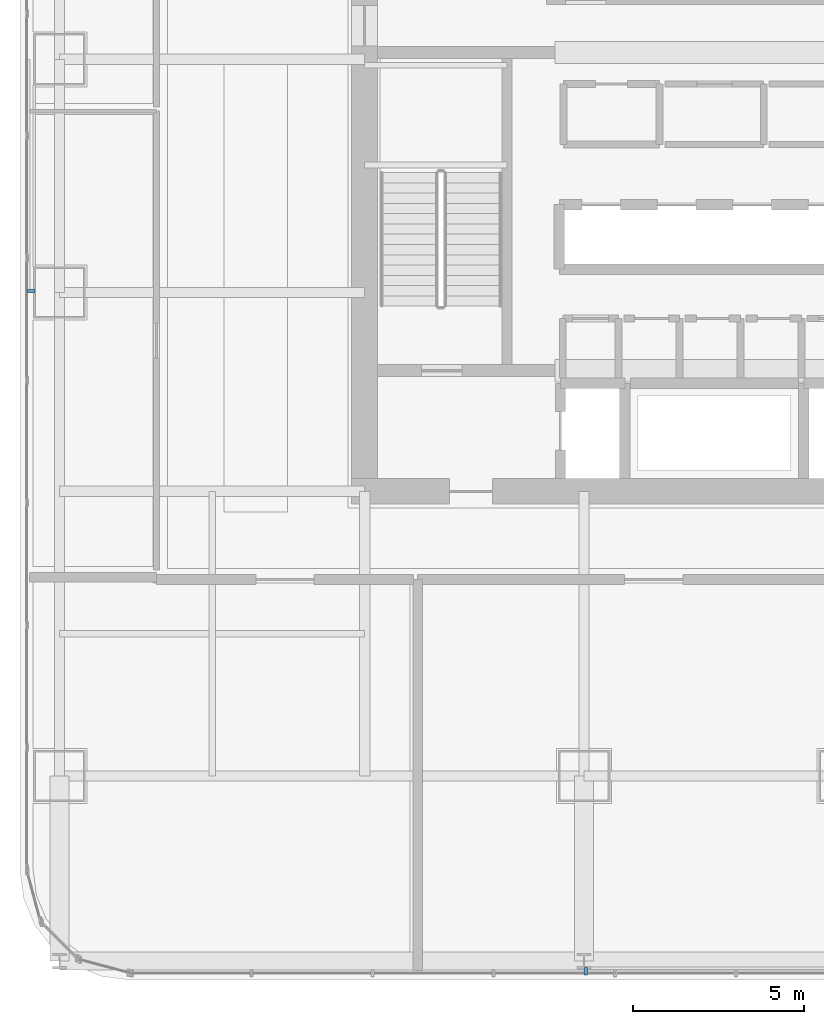
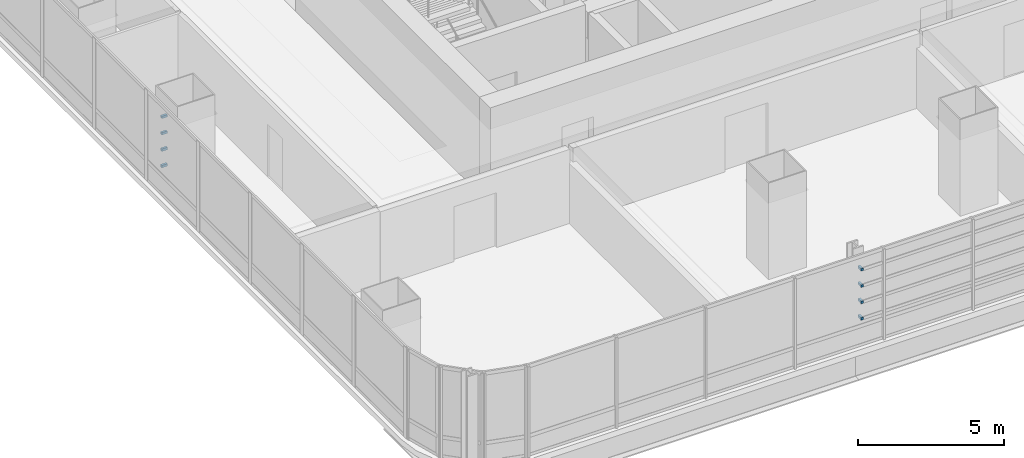
# One storey, part 30 of 34: 8 discrete accessories.
"""IFC4 building model written with IfcOpenShell, lengths in metres."""

from ifc_helpers import new_model, si_unit, direction, frame, origin, origin_2d, place, context, subcontext, project, spatial, rectangle, extrude, material, type_object, element, save


model = new_model("IFC4")

# Units and contexts
model_context = context("Model", 3, precision=1e-05, world=origin(), true_north=direction((0.0, 1.0)))
body_context = subcontext(model_context, "Body", "Model", "MODEL_VIEW")
ifc_project = project(units=[si_unit("LENGTHUNIT", "METRE"), si_unit("AREAUNIT", "SQUARE_METRE"), si_unit("VOLUMEUNIT", "CUBIC_METRE"), si_unit("PLANEANGLEUNIT", "RADIAN"), si_unit("MASSUNIT", "GRAM", prefix="KILO")], contexts=[model_context])

# Site, building, storey
site_placement = place(None, origin())
site = spatial("IfcSite", under=ifc_project, at=site_placement, CompositionType="ELEMENT")
building_placement = place(site_placement, origin())
building = spatial("IfcBuilding", under=site, at=building_placement, Name="Punatoya Terracotta Tower", CompositionType="ELEMENT")
storey_placement = place(building_placement, frame((0.0, 0.0, 80.85009765625)))
storey = spatial("IfcBuildingStorey", under=building, at=storey_placement, Name="L18", CompositionType="ELEMENT", Elevation=80.85009765625)

# Discrete accessories
ifc_material = material(Name="Steel S355", Category="steel")
discrete_accessory_type = type_object("IfcDiscreteAccessoryType", Name="ACC-BRK-220", PredefinedType="BRACKET", material=ifc_material)
for number, where, z_axis, x_axis, name in (
    (1, (-3.75, -23.193115234375, 1.099853515625), (0.0, 0.0, 1.0), (1.0, 0.0, 0.0), "L18 Baguette Louvre Column Bracket BAG-L18-S-01"),
    (2, (-3.75, -23.193115234375, 1.78662109375), (0.0, 0.0, 1.0), (1.0, 0.0, 0.0), "L18 Baguette Louvre Column Bracket BAG-L18-S-02"),
    (3, (-3.75, -23.193115234375, 2.47314453125), (0.0, 0.0, 1.0), (1.0, 0.0, 0.0), "L18 Baguette Louvre Column Bracket BAG-L18-S-03"),
    (4, (-3.75, -23.193115234375, 3.159912109375), (0.0, 0.0, 1.0), (1.0, 0.0, 0.0), "L18 Baguette Louvre Column Bracket BAG-L18-S-04"),
    (5, (-19.919921875, -3.35009765625, 1.099853515625), (0.0, 0.0, 1.0), (0.0, 1.0, 0.0), "L18 Baguette Louvre Column Bracket BAG-L18-W-01"),
    (6, (-19.919921875, -3.35009765625, 1.78662109375), (0.0, 0.0, 1.0), (0.0, 1.0, 0.0), "L18 Baguette Louvre Column Bracket BAG-L18-W-02"),
    (7, (-19.919921875, -3.35009765625, 2.47314453125), (0.0, 0.0, 1.0), (0.0, 1.0, 0.0), "L18 Baguette Louvre Column Bracket BAG-L18-W-03"),
    (8, (-19.919921875, -3.35009765625, 3.159912109375), (0.0, 0.0, 1.0), (0.0, 1.0, 0.0), "L18 Baguette Louvre Column Bracket BAG-L18-W-04"),
):
    element("IfcDiscreteAccessory", number, at=place(storey_placement, frame(where, z_axis=z_axis, x_axis=x_axis)), inside=storey, type_object=discrete_accessory_type, Name=name, PredefinedType="BRACKET", context=body_context, shape_type="SweptSolid", body=[
        extrude(rectangle(XDim=0.090087890625, YDim=0.219970703125, at=origin_2d()), origin(), (0.0, 0.0, 1.0), 0.10009765625),
    ])

save(model, "model.ifc")
